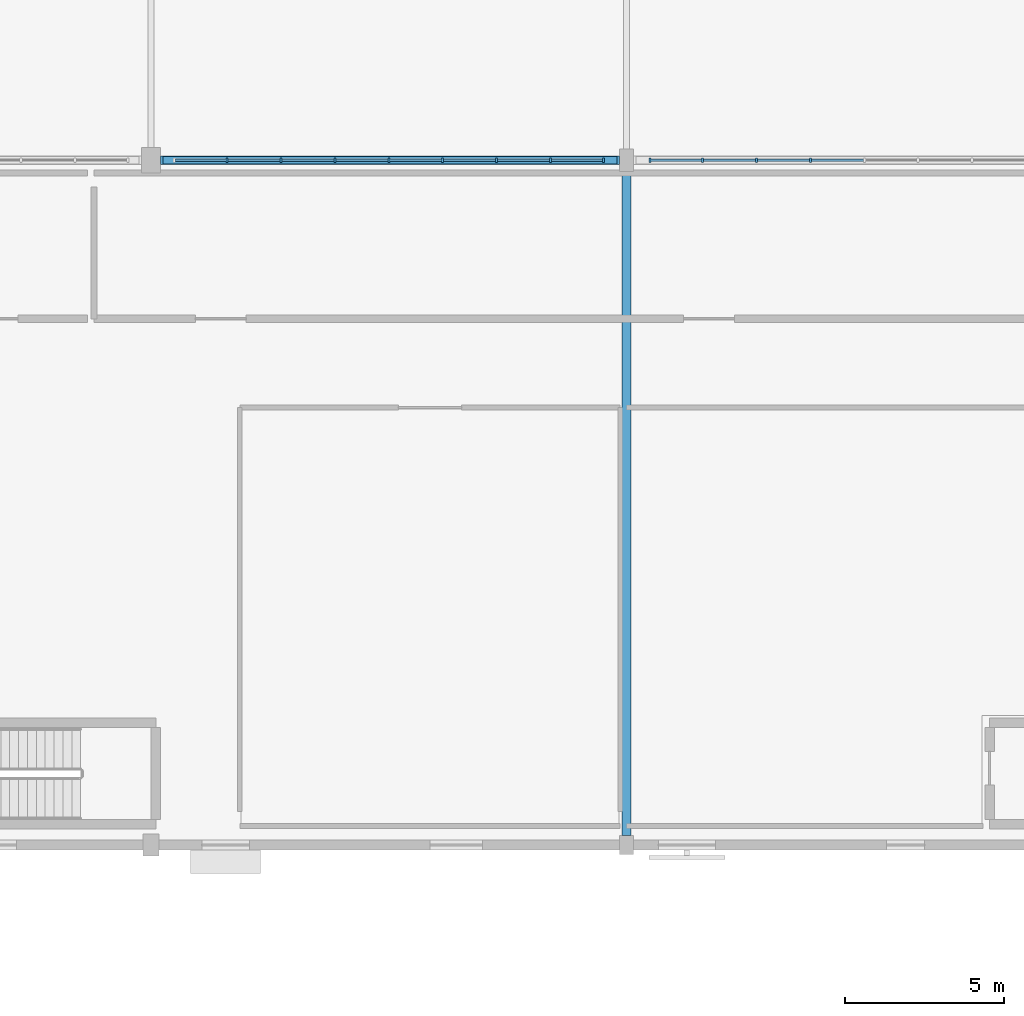
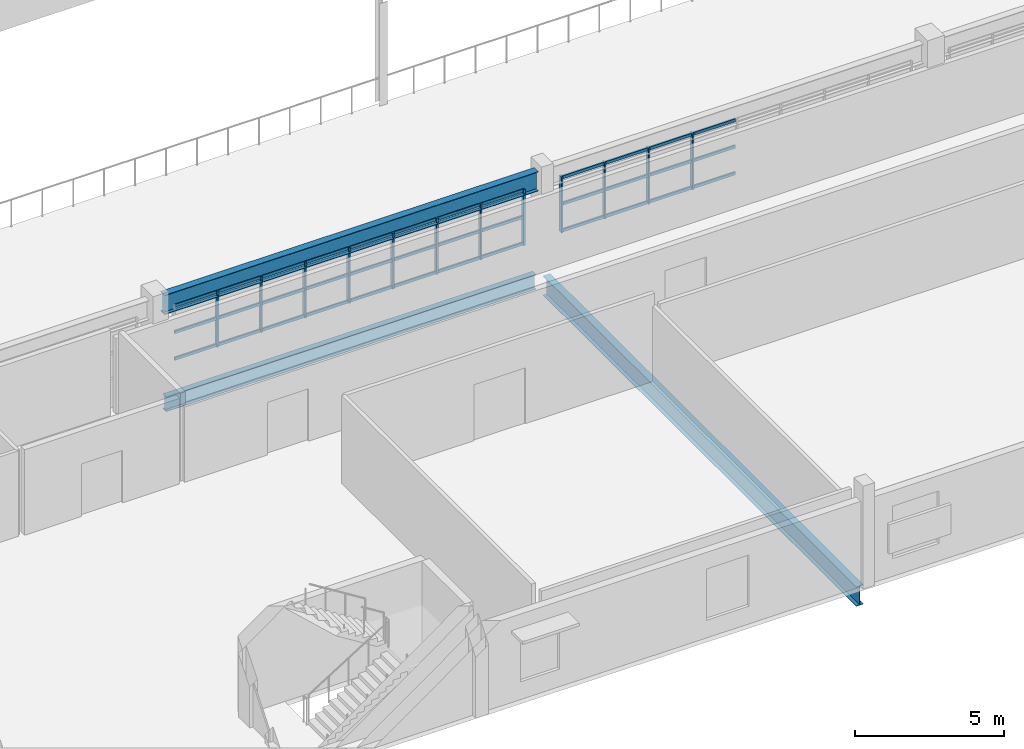
# One storey, part 9 of 92: 48 members, 3 beams, 2 elements without a shape of their own.
"""IFC4 building model written with IfcOpenShell, lengths in metres."""

from ifc_helpers import new_model, si_unit, direction, frame, origin, origin_2d, place, context, subcontext, project, spatial, rectangle, i_section, extrude, material, material_profile, profile_set, type_object, element, aggregate, save


model = new_model("IFC4")

# Units and contexts
model_context = context("Model", 3, precision=1e-05, world=origin(), true_north=direction((0.0, 1.0)))
body_context = subcontext(model_context, "Body", "Model", "MODEL_VIEW")
ifc_project = project(units=[si_unit("LENGTHUNIT", "METRE"), si_unit("AREAUNIT", "SQUARE_METRE"), si_unit("VOLUMEUNIT", "CUBIC_METRE"), si_unit("PLANEANGLEUNIT", "RADIAN"), si_unit("MASSUNIT", "GRAM", prefix="KILO")], contexts=[model_context])

# Site, building, storey
site_placement = place(None, origin())
site = spatial("IfcSite", under=ifc_project, at=site_placement, CompositionType="ELEMENT")
building_placement = place(site_placement, origin())
building = spatial("IfcBuilding", under=site, at=building_placement, Name="Solanera Park Tramway Depot", CompositionType="ELEMENT")
storey_placement = place(building_placement, frame((0.0, 0.0, 4.800048828125)))
storey = spatial("IfcBuildingStorey", under=building, at=storey_placement, Name="L01", CompositionType="ELEMENT", Elevation=4.800048828125)

# Curtain wall, members
ifc_material_1 = material(Name="Bronze-anodised thermally broken aluminium curtain wall", Category="aluminium")
curtain_wall_type = type_object("IfcCurtainWallType", Name="Workshop Daylight Ribbon Curtain Wall", PredefinedType="NOTDEFINED", material=ifc_material_1)
curtain_wall_1_placement = place(storey_placement, origin())
curtain_wall_1 = element("IfcCurtainWall", 1, at=curtain_wall_1_placement, inside=storey, type_object=curtain_wall_type, Name="L01 Workshop Daylight Ribbon Curtain Wall #143", PredefinedType="NOTDEFINED")
ifc_material_2 = material(Name="Bronze-anodised structural aluminium 6063-T6", Category="aluminium")
ifc_material_profile_1 = material_profile(ifc_material_2, rectangle(XDim=0.06494140625, YDim=0.14990234375, at=origin_2d()), Name="Curtain Wall Mullion 65x150")
ifc_profile_set_1 = profile_set([ifc_material_profile_1], Name="Bronze-anodised structural aluminium 6063-T6")
member_type_1 = type_object("IfcMemberType", Name="Curtain Wall Mullion 65x150", PredefinedType="MULLION", material=ifc_profile_set_1)
member_1_placement = place(storey_placement, frame((17.39990234375, 32.39990234375, 1.0), z_axis=(0.0, 0.0, 1.0), x_axis=(1.0, 0.0, 0.0)))
member_1 = element("IfcMember", 2, at=member_1_placement, type_object=member_type_1, Name="CW-L01-143 Mullion 2", PredefinedType="MULLION", context=body_context, shape_type="SweptSolid", body=[
    extrude(rectangle(XDim=0.06494140625, YDim=0.14990234375, at=origin_2d()), origin(), (0.0, 0.0, 1.0), 2.300048828125),
])
member_2_placement = place(storey_placement, frame((19.10009765625, 32.39990234375, 1.0), z_axis=(0.0, 0.0, 1.0), x_axis=(1.0, 0.0, 0.0)))
member_2 = element("IfcMember", 3, at=member_2_placement, type_object=member_type_1, Name="CW-L01-143 Mullion 3", PredefinedType="MULLION", context=body_context, shape_type="SweptSolid", body=[
    extrude(rectangle(XDim=0.06494140625, YDim=0.14990234375, at=origin_2d()), origin(), (0.0, 0.0, 1.0), 2.300048828125),
])
member_3_placement = place(storey_placement, frame((20.800048828125, 32.39990234375, 1.0), z_axis=(0.0, 0.0, 1.0), x_axis=(1.0, 0.0, 0.0)))
member_3 = element("IfcMember", 4, at=member_3_placement, type_object=member_type_1, Name="CW-L01-143 Mullion 4", PredefinedType="MULLION", context=body_context, shape_type="SweptSolid", body=[
    extrude(rectangle(XDim=0.06494140625, YDim=0.14990234375, at=origin_2d()), origin(), (0.0, 0.0, 1.0), 2.300048828125),
])
member_4_placement = place(storey_placement, frame((22.5, 32.39990234375, 1.0), z_axis=(0.0, 0.0, 1.0), x_axis=(1.0, 0.0, 0.0)))
member_4 = element("IfcMember", 5, at=member_4_placement, type_object=member_type_1, Name="CW-L01-143 Mullion 5", PredefinedType="MULLION", context=body_context, shape_type="SweptSolid", body=[
    extrude(rectangle(XDim=0.06494140625, YDim=0.14990234375, at=origin_2d()), origin(), (0.0, 0.0, 1.0), 2.300048828125),
])
member_5_placement = place(storey_placement, frame((24.199951171875, 32.39990234375, 1.0), z_axis=(0.0, 0.0, 1.0), x_axis=(1.0, 0.0, 0.0)))
member_5 = element("IfcMember", 6, at=member_5_placement, type_object=member_type_1, Name="CW-L01-143 Mullion 6", PredefinedType="MULLION", context=body_context, shape_type="SweptSolid", body=[
    extrude(rectangle(XDim=0.06494140625, YDim=0.14990234375, at=origin_2d()), origin(), (0.0, 0.0, 1.0), 2.300048828125),
])
member_6_placement = place(storey_placement, frame((25.89990234375, 32.39990234375, 1.0), z_axis=(0.0, 0.0, 1.0), x_axis=(1.0, 0.0, 0.0)))
member_6 = element("IfcMember", 7, at=member_6_placement, type_object=member_type_1, Name="CW-L01-143 Mullion 7", PredefinedType="MULLION", context=body_context, shape_type="SweptSolid", body=[
    extrude(rectangle(XDim=0.06494140625, YDim=0.14990234375, at=origin_2d()), origin(), (0.0, 0.0, 1.0), 2.300048828125),
])
member_7_placement = place(storey_placement, frame((27.60009765625, 32.39990234375, 1.0), z_axis=(0.0, 0.0, 1.0), x_axis=(1.0, 0.0, 0.0)))
member_7 = element("IfcMember", 8, at=member_7_placement, type_object=member_type_1, Name="CW-L01-143 Mullion 8", PredefinedType="MULLION", context=body_context, shape_type="SweptSolid", body=[
    extrude(rectangle(XDim=0.06494140625, YDim=0.14990234375, at=origin_2d()), origin(), (0.0, 0.0, 1.0), 2.300048828125),
])
member_8_placement = place(storey_placement, frame((29.267578125, 32.39990234375, 1.0), z_axis=(0.0, 0.0, 1.0), x_axis=(1.0, 0.0, 0.0)))
member_8 = element("IfcMember", 9, at=member_8_placement, type_object=member_type_1, Name="CW-L01-143 Mullion 9", PredefinedType="MULLION", context=body_context, shape_type="SweptSolid", body=[
    extrude(rectangle(XDim=0.06494140625, YDim=0.14990234375, at=origin_2d()), origin(), (0.0, 0.0, 1.0), 2.300048828125),
])

curtain_wall_2_placement = place(storey_placement, origin())
curtain_wall_2 = element("IfcCurtainWall", 10, at=curtain_wall_2_placement, inside=storey, type_object=curtain_wall_type, Name="L01 Workshop Daylight Ribbon Curtain Wall #145", PredefinedType="NOTDEFINED")
member_9_placement = place(storey_placement, frame((30.732421875, 32.39990234375, 1.0), z_axis=(0.0, 0.0, 1.0), x_axis=(1.0, 0.0, 0.0)))
member_9 = element("IfcMember", 11, at=member_9_placement, type_object=member_type_1, Name="CW-L01-145 Mullion 1", PredefinedType="MULLION", context=body_context, shape_type="SweptSolid", body=[
    extrude(rectangle(XDim=0.06494140625, YDim=0.14990234375, at=origin_2d()), origin(), (0.0, 0.0, 1.0), 2.300048828125),
])
member_10_placement = place(storey_placement, frame((32.39990234375, 32.39990234375, 1.0), z_axis=(0.0, 0.0, 1.0), x_axis=(1.0, 0.0, 0.0)))
member_10 = element("IfcMember", 12, at=member_10_placement, type_object=member_type_1, Name="CW-L01-145 Mullion 2", PredefinedType="MULLION", context=body_context, shape_type="SweptSolid", body=[
    extrude(rectangle(XDim=0.06494140625, YDim=0.14990234375, at=origin_2d()), origin(), (0.0, 0.0, 1.0), 2.300048828125),
])
member_11_placement = place(storey_placement, frame((34.10009765625, 32.39990234375, 1.0), z_axis=(0.0, 0.0, 1.0), x_axis=(1.0, 0.0, 0.0)))
member_11 = element("IfcMember", 13, at=member_11_placement, type_object=member_type_1, Name="CW-L01-145 Mullion 3", PredefinedType="MULLION", context=body_context, shape_type="SweptSolid", body=[
    extrude(rectangle(XDim=0.06494140625, YDim=0.14990234375, at=origin_2d()), origin(), (0.0, 0.0, 1.0), 2.300048828125),
])
member_12_placement = place(storey_placement, frame((35.800048828125, 32.39990234375, 1.0), z_axis=(0.0, 0.0, 1.0), x_axis=(1.0, 0.0, 0.0)))
member_12 = element("IfcMember", 14, at=member_12_placement, type_object=member_type_1, Name="CW-L01-145 Mullion 4", PredefinedType="MULLION", context=body_context, shape_type="SweptSolid", body=[
    extrude(rectangle(XDim=0.06494140625, YDim=0.14990234375, at=origin_2d()), origin(), (0.0, 0.0, 1.0), 2.300048828125),
])

# Member
ifc_material_3 = material(Name="Bronze-anodised structural aluminium 6063-T6", Category="aluminium")
ifc_material_profile_2 = material_profile(ifc_material_3, rectangle(XDim=0.06494140625, YDim=0.1201171875, at=origin_2d()), Name="Curtain Wall Transom 65x120")
ifc_profile_set_2 = profile_set([ifc_material_profile_2], Name="Bronze-anodised structural aluminium 6063-T6")
member_type_2 = type_object("IfcMemberType", Name="Curtain Wall Transom 65x120", PredefinedType="USERDEFINED", material=ifc_profile_set_2)
member_13_placement = place(storey_placement, frame((15.760498046875, 32.39990234375, 1.06005859375), z_axis=(1.0, 0.0, 0.0), x_axis=(0.0, 1.0, 0.0)))
member_13 = element("IfcMember", 15, at=member_13_placement, type_object=member_type_2, Name="CW-L01-143 Transom R1.C1", ObjectType="TRANSOM", PredefinedType="USERDEFINED", context=body_context, shape_type="SweptSolid", body=[
    extrude(rectangle(XDim=0.06494140625, YDim=0.1201171875, at=origin_2d()), origin(), (0.0, 0.0, 1.0), 1.611572265625),
])

member_14_placement = place(storey_placement, frame((17.427978515625, 32.39990234375, 1.06005859375), z_axis=(1.0, 0.0, 0.0), x_axis=(0.0, 1.0, 0.0)))
member_14 = element("IfcMember", 16, at=member_14_placement, type_object=member_type_2, Name="CW-L01-143 Transom R1.C2", ObjectType="TRANSOM", PredefinedType="USERDEFINED", context=body_context, shape_type="SweptSolid", body=[
    extrude(rectangle(XDim=0.06494140625, YDim=0.1201171875, at=origin_2d()), origin(), (0.0, 0.0, 1.0), 1.64404296875),
])

member_15_placement = place(storey_placement, frame((19.1279296875, 32.39990234375, 1.06005859375), z_axis=(1.0, 0.0, 0.0), x_axis=(0.0, 1.0, 0.0)))
member_15 = element("IfcMember", 17, at=member_15_placement, type_object=member_type_2, Name="CW-L01-143 Transom R1.C3", ObjectType="TRANSOM", PredefinedType="USERDEFINED", context=body_context, shape_type="SweptSolid", body=[
    extrude(rectangle(XDim=0.06494140625, YDim=0.1201171875, at=origin_2d()), origin(), (0.0, 0.0, 1.0), 1.64404296875),
])

member_16_placement = place(storey_placement, frame((20.827880859375, 32.39990234375, 1.06005859375), z_axis=(1.0, 0.0, 0.0), x_axis=(0.0, 1.0, 0.0)))
member_16 = element("IfcMember", 18, at=member_16_placement, type_object=member_type_2, Name="CW-L01-143 Transom R1.C4", ObjectType="TRANSOM", PredefinedType="USERDEFINED", context=body_context, shape_type="SweptSolid", body=[
    extrude(rectangle(XDim=0.06494140625, YDim=0.1201171875, at=origin_2d()), origin(), (0.0, 0.0, 1.0), 1.64404296875),
])

member_17_placement = place(storey_placement, frame((22.528076171875, 32.39990234375, 1.06005859375), z_axis=(1.0, 0.0, 0.0), x_axis=(0.0, 1.0, 0.0)))
member_17 = element("IfcMember", 19, at=member_17_placement, type_object=member_type_2, Name="CW-L01-143 Transom R1.C5", ObjectType="TRANSOM", PredefinedType="USERDEFINED", context=body_context, shape_type="SweptSolid", body=[
    extrude(rectangle(XDim=0.06494140625, YDim=0.1201171875, at=origin_2d()), origin(), (0.0, 0.0, 1.0), 1.64404296875),
])

member_18_placement = place(storey_placement, frame((24.22802734375, 32.39990234375, 1.06005859375), z_axis=(1.0, 0.0, 0.0), x_axis=(0.0, 1.0, 0.0)))
member_18 = element("IfcMember", 20, at=member_18_placement, type_object=member_type_2, Name="CW-L01-143 Transom R1.C6", ObjectType="TRANSOM", PredefinedType="USERDEFINED", context=body_context, shape_type="SweptSolid", body=[
    extrude(rectangle(XDim=0.06494140625, YDim=0.1201171875, at=origin_2d()), origin(), (0.0, 0.0, 1.0), 1.64404296875),
])

member_19_placement = place(storey_placement, frame((25.927978515625, 32.39990234375, 1.06005859375), z_axis=(1.0, 0.0, 0.0), x_axis=(0.0, 1.0, 0.0)))
member_19 = element("IfcMember", 21, at=member_19_placement, type_object=member_type_2, Name="CW-L01-143 Transom R1.C7", ObjectType="TRANSOM", PredefinedType="USERDEFINED", context=body_context, shape_type="SweptSolid", body=[
    extrude(rectangle(XDim=0.06494140625, YDim=0.1201171875, at=origin_2d()), origin(), (0.0, 0.0, 1.0), 1.64404296875),
])

member_20_placement = place(storey_placement, frame((27.6279296875, 32.39990234375, 1.06005859375), z_axis=(1.0, 0.0, 0.0), x_axis=(0.0, 1.0, 0.0)))
member_20 = element("IfcMember", 22, at=member_20_placement, type_object=member_type_2, Name="CW-L01-143 Transom R1.C8", ObjectType="TRANSOM", PredefinedType="USERDEFINED", context=body_context, shape_type="SweptSolid", body=[
    extrude(rectangle(XDim=0.06494140625, YDim=0.1201171875, at=origin_2d()), origin(), (0.0, 0.0, 1.0), 1.611572265625),
])

member_21_placement = place(storey_placement, frame((15.760498046875, 32.39990234375, 2.14990234375), z_axis=(1.0, 0.0, 0.0), x_axis=(0.0, 1.0, 0.0)))
member_21 = element("IfcMember", 23, at=member_21_placement, type_object=member_type_2, Name="CW-L01-143 Transom R2.C1", ObjectType="TRANSOM", PredefinedType="USERDEFINED", context=body_context, shape_type="SweptSolid", body=[
    extrude(rectangle(XDim=0.06494140625, YDim=0.1201171875, at=origin_2d()), origin(), (0.0, 0.0, 1.0), 1.611572265625),
])

member_22_placement = place(storey_placement, frame((17.427978515625, 32.39990234375, 2.14990234375), z_axis=(1.0, 0.0, 0.0), x_axis=(0.0, 1.0, 0.0)))
member_22 = element("IfcMember", 24, at=member_22_placement, type_object=member_type_2, Name="CW-L01-143 Transom R2.C2", ObjectType="TRANSOM", PredefinedType="USERDEFINED", context=body_context, shape_type="SweptSolid", body=[
    extrude(rectangle(XDim=0.06494140625, YDim=0.1201171875, at=origin_2d()), origin(), (0.0, 0.0, 1.0), 1.64404296875),
])

member_23_placement = place(storey_placement, frame((19.1279296875, 32.39990234375, 2.14990234375), z_axis=(1.0, 0.0, 0.0), x_axis=(0.0, 1.0, 0.0)))
member_23 = element("IfcMember", 25, at=member_23_placement, type_object=member_type_2, Name="CW-L01-143 Transom R2.C3", ObjectType="TRANSOM", PredefinedType="USERDEFINED", context=body_context, shape_type="SweptSolid", body=[
    extrude(rectangle(XDim=0.06494140625, YDim=0.1201171875, at=origin_2d()), origin(), (0.0, 0.0, 1.0), 1.64404296875),
])

member_24_placement = place(storey_placement, frame((20.827880859375, 32.39990234375, 2.14990234375), z_axis=(1.0, 0.0, 0.0), x_axis=(0.0, 1.0, 0.0)))
member_24 = element("IfcMember", 26, at=member_24_placement, type_object=member_type_2, Name="CW-L01-143 Transom R2.C4", ObjectType="TRANSOM", PredefinedType="USERDEFINED", context=body_context, shape_type="SweptSolid", body=[
    extrude(rectangle(XDim=0.06494140625, YDim=0.1201171875, at=origin_2d()), origin(), (0.0, 0.0, 1.0), 1.64404296875),
])

member_25_placement = place(storey_placement, frame((22.528076171875, 32.39990234375, 2.14990234375), z_axis=(1.0, 0.0, 0.0), x_axis=(0.0, 1.0, 0.0)))
member_25 = element("IfcMember", 27, at=member_25_placement, type_object=member_type_2, Name="CW-L01-143 Transom R2.C5", ObjectType="TRANSOM", PredefinedType="USERDEFINED", context=body_context, shape_type="SweptSolid", body=[
    extrude(rectangle(XDim=0.06494140625, YDim=0.1201171875, at=origin_2d()), origin(), (0.0, 0.0, 1.0), 1.64404296875),
])

member_26_placement = place(storey_placement, frame((24.22802734375, 32.39990234375, 2.14990234375), z_axis=(1.0, 0.0, 0.0), x_axis=(0.0, 1.0, 0.0)))
member_26 = element("IfcMember", 28, at=member_26_placement, type_object=member_type_2, Name="CW-L01-143 Transom R2.C6", ObjectType="TRANSOM", PredefinedType="USERDEFINED", context=body_context, shape_type="SweptSolid", body=[
    extrude(rectangle(XDim=0.06494140625, YDim=0.1201171875, at=origin_2d()), origin(), (0.0, 0.0, 1.0), 1.64404296875),
])

member_27_placement = place(storey_placement, frame((25.927978515625, 32.39990234375, 2.14990234375), z_axis=(1.0, 0.0, 0.0), x_axis=(0.0, 1.0, 0.0)))
member_27 = element("IfcMember", 29, at=member_27_placement, type_object=member_type_2, Name="CW-L01-143 Transom R2.C7", ObjectType="TRANSOM", PredefinedType="USERDEFINED", context=body_context, shape_type="SweptSolid", body=[
    extrude(rectangle(XDim=0.06494140625, YDim=0.1201171875, at=origin_2d()), origin(), (0.0, 0.0, 1.0), 1.64404296875),
])

member_28_placement = place(storey_placement, frame((27.6279296875, 32.39990234375, 2.14990234375), z_axis=(1.0, 0.0, 0.0), x_axis=(0.0, 1.0, 0.0)))
member_28 = element("IfcMember", 30, at=member_28_placement, type_object=member_type_2, Name="CW-L01-143 Transom R2.C8", ObjectType="TRANSOM", PredefinedType="USERDEFINED", context=body_context, shape_type="SweptSolid", body=[
    extrude(rectangle(XDim=0.06494140625, YDim=0.1201171875, at=origin_2d()), origin(), (0.0, 0.0, 1.0), 1.611572265625),
])

member_29_placement = place(storey_placement, frame((15.760498046875, 32.39990234375, 3.239990234375), z_axis=(1.0, 0.0, 0.0), x_axis=(0.0, 1.0, 0.0)))
member_29 = element("IfcMember", 31, at=member_29_placement, type_object=member_type_2, Name="CW-L01-143 Transom R3.C1", ObjectType="TRANSOM", PredefinedType="USERDEFINED", context=body_context, shape_type="SweptSolid", body=[
    extrude(rectangle(XDim=0.06494140625, YDim=0.1201171875, at=origin_2d()), origin(), (0.0, 0.0, 1.0), 1.611572265625),
])

member_30_placement = place(storey_placement, frame((17.427978515625, 32.39990234375, 3.239990234375), z_axis=(1.0, 0.0, 0.0), x_axis=(0.0, 1.0, 0.0)))
member_30 = element("IfcMember", 32, at=member_30_placement, type_object=member_type_2, Name="CW-L01-143 Transom R3.C2", ObjectType="TRANSOM", PredefinedType="USERDEFINED", context=body_context, shape_type="SweptSolid", body=[
    extrude(rectangle(XDim=0.06494140625, YDim=0.1201171875, at=origin_2d()), origin(), (0.0, 0.0, 1.0), 1.64404296875),
])

member_31_placement = place(storey_placement, frame((19.1279296875, 32.39990234375, 3.239990234375), z_axis=(1.0, 0.0, 0.0), x_axis=(0.0, 1.0, 0.0)))
member_31 = element("IfcMember", 33, at=member_31_placement, type_object=member_type_2, Name="CW-L01-143 Transom R3.C3", ObjectType="TRANSOM", PredefinedType="USERDEFINED", context=body_context, shape_type="SweptSolid", body=[
    extrude(rectangle(XDim=0.06494140625, YDim=0.1201171875, at=origin_2d()), origin(), (0.0, 0.0, 1.0), 1.64404296875),
])

member_32_placement = place(storey_placement, frame((20.827880859375, 32.39990234375, 3.239990234375), z_axis=(1.0, 0.0, 0.0), x_axis=(0.0, 1.0, 0.0)))
member_32 = element("IfcMember", 34, at=member_32_placement, type_object=member_type_2, Name="CW-L01-143 Transom R3.C4", ObjectType="TRANSOM", PredefinedType="USERDEFINED", context=body_context, shape_type="SweptSolid", body=[
    extrude(rectangle(XDim=0.06494140625, YDim=0.1201171875, at=origin_2d()), origin(), (0.0, 0.0, 1.0), 1.64404296875),
])

member_33_placement = place(storey_placement, frame((22.528076171875, 32.39990234375, 3.239990234375), z_axis=(1.0, 0.0, 0.0), x_axis=(0.0, 1.0, 0.0)))
member_33 = element("IfcMember", 35, at=member_33_placement, type_object=member_type_2, Name="CW-L01-143 Transom R3.C5", ObjectType="TRANSOM", PredefinedType="USERDEFINED", context=body_context, shape_type="SweptSolid", body=[
    extrude(rectangle(XDim=0.06494140625, YDim=0.1201171875, at=origin_2d()), origin(), (0.0, 0.0, 1.0), 1.64404296875),
])

member_34_placement = place(storey_placement, frame((24.22802734375, 32.39990234375, 3.239990234375), z_axis=(1.0, 0.0, 0.0), x_axis=(0.0, 1.0, 0.0)))
member_34 = element("IfcMember", 36, at=member_34_placement, type_object=member_type_2, Name="CW-L01-143 Transom R3.C6", ObjectType="TRANSOM", PredefinedType="USERDEFINED", context=body_context, shape_type="SweptSolid", body=[
    extrude(rectangle(XDim=0.06494140625, YDim=0.1201171875, at=origin_2d()), origin(), (0.0, 0.0, 1.0), 1.64404296875),
])

member_35_placement = place(storey_placement, frame((25.927978515625, 32.39990234375, 3.239990234375), z_axis=(1.0, 0.0, 0.0), x_axis=(0.0, 1.0, 0.0)))
member_35 = element("IfcMember", 37, at=member_35_placement, type_object=member_type_2, Name="CW-L01-143 Transom R3.C7", ObjectType="TRANSOM", PredefinedType="USERDEFINED", context=body_context, shape_type="SweptSolid", body=[
    extrude(rectangle(XDim=0.06494140625, YDim=0.1201171875, at=origin_2d()), origin(), (0.0, 0.0, 1.0), 1.64404296875),
])

member_36_placement = place(storey_placement, frame((27.6279296875, 32.39990234375, 3.239990234375), z_axis=(1.0, 0.0, 0.0), x_axis=(0.0, 1.0, 0.0)))
member_36 = element("IfcMember", 38, at=member_36_placement, type_object=member_type_2, Name="CW-L01-143 Transom R3.C8", ObjectType="TRANSOM", PredefinedType="USERDEFINED", context=body_context, shape_type="SweptSolid", body=[
    extrude(rectangle(XDim=0.06494140625, YDim=0.1201171875, at=origin_2d()), origin(), (0.0, 0.0, 1.0), 1.611572265625),
])

aggregate(curtain_wall_1, [member_1, member_2, member_3, member_4, member_5, member_6, member_7, member_8, member_13, member_14, member_15, member_16, member_17, member_18, member_19, member_20, member_21, member_22, member_23, member_24, member_25, member_26, member_27, member_28, member_29, member_30, member_31, member_32, member_33, member_34, member_35, member_36])

member_37_placement = place(storey_placement, frame((30.760498046875, 32.39990234375, 1.06005859375), z_axis=(1.0, 0.0, 0.0), x_axis=(0.0, 1.0, 0.0)))
member_37 = element("IfcMember", 39, at=member_37_placement, type_object=member_type_2, Name="CW-L01-145 Transom R1.C1", ObjectType="TRANSOM", PredefinedType="USERDEFINED", context=body_context, shape_type="SweptSolid", body=[
    extrude(rectangle(XDim=0.06494140625, YDim=0.1201171875, at=origin_2d()), origin(), (0.0, 0.0, 1.0), 1.611572265625),
])

member_38_placement = place(storey_placement, frame((32.427978515625, 32.39990234375, 1.06005859375), z_axis=(1.0, 0.0, 0.0), x_axis=(0.0, 1.0, 0.0)))
member_38 = element("IfcMember", 40, at=member_38_placement, type_object=member_type_2, Name="CW-L01-145 Transom R1.C2", ObjectType="TRANSOM", PredefinedType="USERDEFINED", context=body_context, shape_type="SweptSolid", body=[
    extrude(rectangle(XDim=0.06494140625, YDim=0.1201171875, at=origin_2d()), origin(), (0.0, 0.0, 1.0), 1.64404296875),
])

member_39_placement = place(storey_placement, frame((34.1279296875, 32.39990234375, 1.06005859375), z_axis=(1.0, 0.0, 0.0), x_axis=(0.0, 1.0, 0.0)))
member_39 = element("IfcMember", 41, at=member_39_placement, type_object=member_type_2, Name="CW-L01-145 Transom R1.C3", ObjectType="TRANSOM", PredefinedType="USERDEFINED", context=body_context, shape_type="SweptSolid", body=[
    extrude(rectangle(XDim=0.06494140625, YDim=0.1201171875, at=origin_2d()), origin(), (0.0, 0.0, 1.0), 1.64404296875),
])

member_40_placement = place(storey_placement, frame((35.827880859375, 32.39990234375, 1.06005859375), z_axis=(1.0, 0.0, 0.0), x_axis=(0.0, 1.0, 0.0)))
member_40 = element("IfcMember", 42, at=member_40_placement, type_object=member_type_2, Name="CW-L01-145 Transom R1.C4", ObjectType="TRANSOM", PredefinedType="USERDEFINED", context=body_context, shape_type="SweptSolid", body=[
    extrude(rectangle(XDim=0.06494140625, YDim=0.1201171875, at=origin_2d()), origin(), (0.0, 0.0, 1.0), 1.64404296875),
])

member_41_placement = place(storey_placement, frame((30.760498046875, 32.39990234375, 2.14990234375), z_axis=(1.0, 0.0, 0.0), x_axis=(0.0, 1.0, 0.0)))
member_41 = element("IfcMember", 43, at=member_41_placement, type_object=member_type_2, Name="CW-L01-145 Transom R2.C1", ObjectType="TRANSOM", PredefinedType="USERDEFINED", context=body_context, shape_type="SweptSolid", body=[
    extrude(rectangle(XDim=0.06494140625, YDim=0.1201171875, at=origin_2d()), origin(), (0.0, 0.0, 1.0), 1.611572265625),
])

member_42_placement = place(storey_placement, frame((32.427978515625, 32.39990234375, 2.14990234375), z_axis=(1.0, 0.0, 0.0), x_axis=(0.0, 1.0, 0.0)))
member_42 = element("IfcMember", 44, at=member_42_placement, type_object=member_type_2, Name="CW-L01-145 Transom R2.C2", ObjectType="TRANSOM", PredefinedType="USERDEFINED", context=body_context, shape_type="SweptSolid", body=[
    extrude(rectangle(XDim=0.06494140625, YDim=0.1201171875, at=origin_2d()), origin(), (0.0, 0.0, 1.0), 1.64404296875),
])

member_43_placement = place(storey_placement, frame((34.1279296875, 32.39990234375, 2.14990234375), z_axis=(1.0, 0.0, 0.0), x_axis=(0.0, 1.0, 0.0)))
member_43 = element("IfcMember", 45, at=member_43_placement, type_object=member_type_2, Name="CW-L01-145 Transom R2.C3", ObjectType="TRANSOM", PredefinedType="USERDEFINED", context=body_context, shape_type="SweptSolid", body=[
    extrude(rectangle(XDim=0.06494140625, YDim=0.1201171875, at=origin_2d()), origin(), (0.0, 0.0, 1.0), 1.64404296875),
])

member_44_placement = place(storey_placement, frame((35.827880859375, 32.39990234375, 2.14990234375), z_axis=(1.0, 0.0, 0.0), x_axis=(0.0, 1.0, 0.0)))
member_44 = element("IfcMember", 46, at=member_44_placement, type_object=member_type_2, Name="CW-L01-145 Transom R2.C4", ObjectType="TRANSOM", PredefinedType="USERDEFINED", context=body_context, shape_type="SweptSolid", body=[
    extrude(rectangle(XDim=0.06494140625, YDim=0.1201171875, at=origin_2d()), origin(), (0.0, 0.0, 1.0), 1.64404296875),
])

member_45_placement = place(storey_placement, frame((30.760498046875, 32.39990234375, 3.239990234375), z_axis=(1.0, 0.0, 0.0), x_axis=(0.0, 1.0, 0.0)))
member_45 = element("IfcMember", 47, at=member_45_placement, type_object=member_type_2, Name="CW-L01-145 Transom R3.C1", ObjectType="TRANSOM", PredefinedType="USERDEFINED", context=body_context, shape_type="SweptSolid", body=[
    extrude(rectangle(XDim=0.06494140625, YDim=0.1201171875, at=origin_2d()), origin(), (0.0, 0.0, 1.0), 1.611572265625),
])

member_46_placement = place(storey_placement, frame((32.427978515625, 32.39990234375, 3.239990234375), z_axis=(1.0, 0.0, 0.0), x_axis=(0.0, 1.0, 0.0)))
member_46 = element("IfcMember", 48, at=member_46_placement, type_object=member_type_2, Name="CW-L01-145 Transom R3.C2", ObjectType="TRANSOM", PredefinedType="USERDEFINED", context=body_context, shape_type="SweptSolid", body=[
    extrude(rectangle(XDim=0.06494140625, YDim=0.1201171875, at=origin_2d()), origin(), (0.0, 0.0, 1.0), 1.64404296875),
])

member_47_placement = place(storey_placement, frame((34.1279296875, 32.39990234375, 3.239990234375), z_axis=(1.0, 0.0, 0.0), x_axis=(0.0, 1.0, 0.0)))
member_47 = element("IfcMember", 49, at=member_47_placement, type_object=member_type_2, Name="CW-L01-145 Transom R3.C3", ObjectType="TRANSOM", PredefinedType="USERDEFINED", context=body_context, shape_type="SweptSolid", body=[
    extrude(rectangle(XDim=0.06494140625, YDim=0.1201171875, at=origin_2d()), origin(), (0.0, 0.0, 1.0), 1.64404296875),
])

member_48_placement = place(storey_placement, frame((35.827880859375, 32.39990234375, 3.239990234375), z_axis=(1.0, 0.0, 0.0), x_axis=(0.0, 1.0, 0.0)))
member_48 = element("IfcMember", 50, at=member_48_placement, type_object=member_type_2, Name="CW-L01-145 Transom R3.C4", ObjectType="TRANSOM", PredefinedType="USERDEFINED", context=body_context, shape_type="SweptSolid", body=[
    extrude(rectangle(XDim=0.06494140625, YDim=0.1201171875, at=origin_2d()), origin(), (0.0, 0.0, 1.0), 1.64404296875),
])

aggregate(curtain_wall_2, [member_9, member_10, member_11, member_12, member_37, member_38, member_39, member_40, member_41, member_42, member_43, member_44, member_45, member_46, member_47, member_48])

# Beams
ifc_material_4 = material(Name="Steel AS/NZS 3679.1 Grade 350", Category="steel")
ifc_material_profile_3 = material_profile(ifc_material_4, i_section(OverallWidth=0.22900390625, OverallDepth=0.611572265625, WebThickness=0.011962890625, FlangeThickness=0.01953125, at=origin_2d()), Name="610UB125")
ifc_profile_set_3 = profile_set([ifc_material_profile_3], Name="Steel AS/NZS 3679.1 Grade 350")
beam_type_1 = type_object("IfcBeamType", Name="Steel Beam 610UB125", PredefinedType="BEAM", material=ifc_profile_set_3)
beam_1_placement = place(storey_placement, frame((15.375, 32.39990234375, -0.60986328125), z_axis=(1.0, 0.0, 0.0), x_axis=(0.0, 1.0, 0.0)))
element("IfcBeam", 51, at=beam_1_placement, inside=storey, type_object=beam_type_1, Name="L01 Primary X-Girder 610UB125 #0015", PredefinedType="BEAM", context=body_context, shape_type="SweptSolid", body=[
    extrude(i_section(OverallWidth=0.22900390625, OverallDepth=0.611572265625, WebThickness=0.011962890625, FlangeThickness=0.01953125, at=origin_2d()), origin(), (0.0, 0.0, 1.0), 14.324951171875),
])
ifc_material_5 = material(Name="Steel AS/NZS 3679.1 Grade 350", Category="steel")
ifc_material_profile_4 = material_profile(ifc_material_5, i_section(OverallWidth=0.27490234375, OverallDepth=0.800048828125, WebThickness=0.010009765625, FlangeThickness=0.02001953125, at=origin_2d()), Name="800WB146")
ifc_profile_set_4 = profile_set([ifc_material_profile_4], Name="Steel AS/NZS 3679.1 Grade 350")
beam_type_2 = type_object("IfcBeamType", Name="Steel Beam 800WB146", PredefinedType="BEAM", material=ifc_profile_set_4)
beam_2_placement = place(storey_placement, frame((30.0, 11.10009765625, -0.7041015625), z_axis=(0.0, 1.0, 0.0), x_axis=(-1.0, 0.0, 0.0)))
element("IfcBeam", 52, at=beam_2_placement, inside=storey, type_object=beam_type_2, Name="L01 Primary Y-Girder 800WB146 #0043", PredefinedType="BEAM", context=body_context, shape_type="SweptSolid", body=[
    extrude(i_section(OverallWidth=0.27490234375, OverallDepth=0.800048828125, WebThickness=0.010009765625, FlangeThickness=0.02001953125, at=origin_2d()), origin(), (0.0, 0.0, 1.0), 21.0),
])
beam_3_placement = place(storey_placement, frame((15.300048828125, 32.39990234375, 3.494873046875), z_axis=(1.0, 0.0, 0.0), x_axis=(0.0, 1.0, 0.0)))
element("IfcBeam", 53, at=beam_3_placement, inside=storey, type_object=beam_type_2, Name="Bridge Crane Runway Girder 800WB146 #0403", PredefinedType="BEAM", context=body_context, shape_type="SweptSolid", body=[
    extrude(i_section(OverallWidth=0.27490234375, OverallDepth=0.800048828125, WebThickness=0.010009765625, FlangeThickness=0.02001953125, at=origin_2d()), origin(), (0.0, 0.0, 1.0), 14.474853515625),
])

save(model, "model.ifc")
